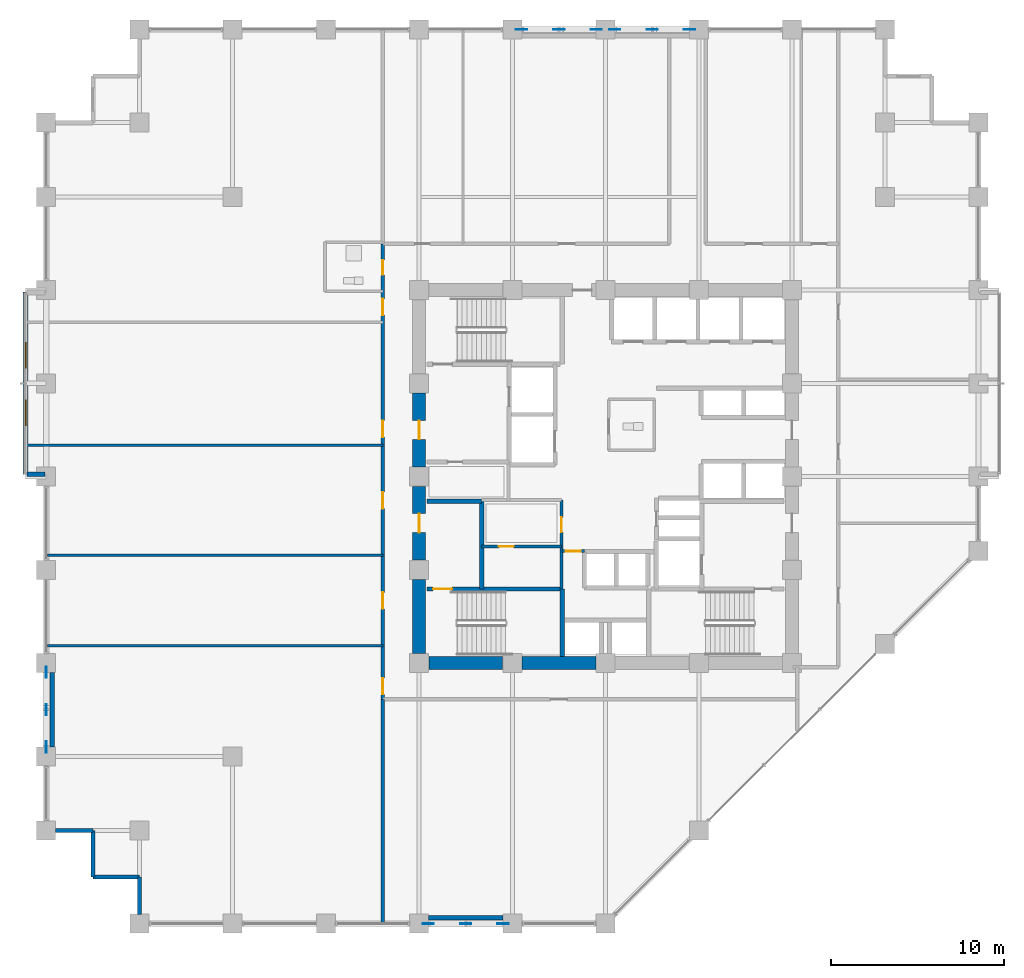
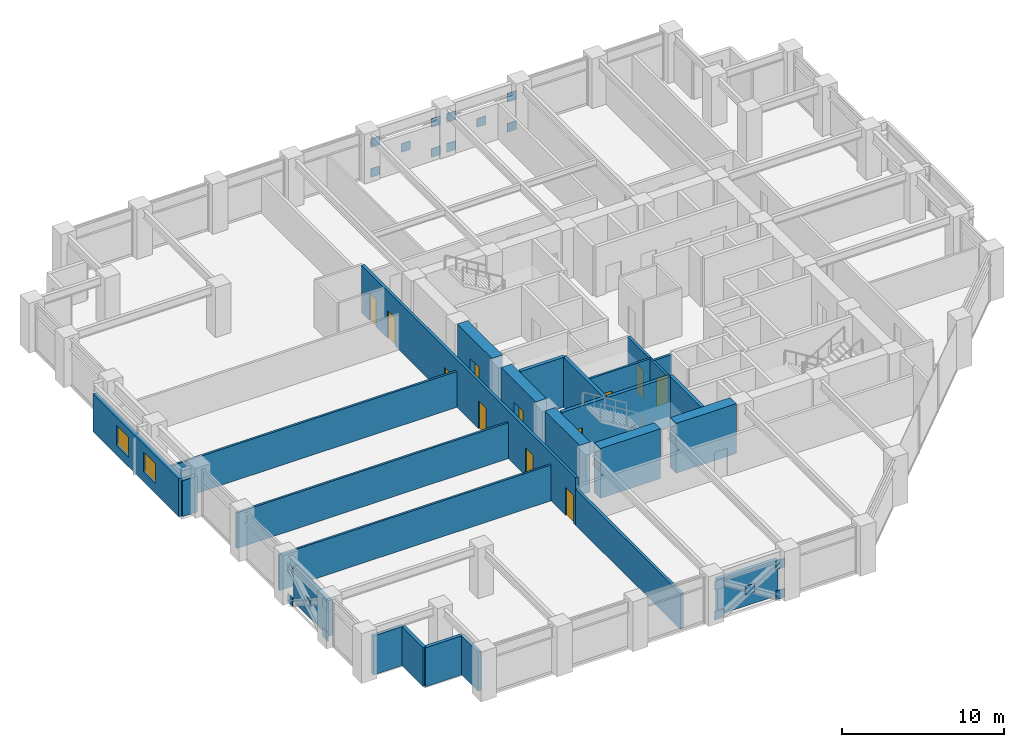
# One storey, part 20 of 26: 25 walls, 20 plates, 12 doors, 2 windows, 14 openings.
"""IFC4 building model written with IfcOpenShell, lengths in metres."""

from ifc_helpers import new_model, si_unit, direction, frame, frame_2d, origin, origin_2d, place, context, subcontext, project, spatial, rectangle, extrude, material, layer, layer_set, type_object, element, fill, save


model = new_model("IFC4")

# Units and contexts
model_context = context("Model", 3, precision=1e-05, world=origin(), true_north=direction((0.0, 1.0)))
body_context = subcontext(model_context, "Body", "Model", "MODEL_VIEW")
ifc_project = project(units=[si_unit("LENGTHUNIT", "METRE"), si_unit("AREAUNIT", "SQUARE_METRE"), si_unit("VOLUMEUNIT", "CUBIC_METRE"), si_unit("PLANEANGLEUNIT", "RADIAN"), si_unit("MASSUNIT", "GRAM", prefix="KILO")], contexts=[model_context])

# Site, building, storey
site_placement = place(None, origin())
site = spatial("IfcSite", under=ifc_project, at=site_placement, CompositionType="ELEMENT")
building_placement = place(site_placement, origin())
building = spatial("IfcBuilding", under=site, at=building_placement, Name="Surkhivell Harbour Commons", CompositionType="ELEMENT")
storey_placement = place(building_placement, frame((0.0, 0.0, 102.0)))
storey = spatial("IfcBuildingStorey", under=building, at=storey_placement, Name="L26", CompositionType="ELEMENT", Elevation=102.0)

# Plates
ifc_material_1 = material(Name="Steel S460", Category="steel")
ifc_layer_1 = layer(ifc_material_1, 0.044921875)
ifc_layer_set_1 = layer_set([ifc_layer_1], Name="Steel S460")
plate_type = type_object("IfcPlateType", Name="PLT-GUS-650", PredefinedType="USERDEFINED", material=ifc_layer_set_1)
for number, where, z_axis, x_axis, name in (
    (1, (-4.864990234375, 25.89990234375, -0.08935546875), (0.0, 0.0, 1.0), (1.0, 0.0, 0.0), "L26 Perimeter Mega-Brace MB- Corner Gusset N-1"),
    (2, (-0.534912109375, 25.89990234375, -0.08935546875), (0.0, 0.0, 1.0), (1.0, 0.0, 0.0), "L26 Perimeter Mega-Brace MB- Corner Gusset N-2"),
    (3, (-4.864990234375, 25.89990234375, 2.170654296875), (0.0, 0.0, 1.0), (1.0, 0.0, 0.0), "L26 Perimeter Mega-Brace MB- Corner Gusset N-3"),
    (4, (-0.534912109375, 25.89990234375, 2.170654296875), (0.0, 0.0, 1.0), (1.0, 0.0, 0.0), "L26 Perimeter Mega-Brace MB- Corner Gusset N-4"),
    (5, (-2.699951171875, 25.89990234375, 1.04052734375), (0.0, 0.0, 1.0), (1.0, 0.0, 0.0), "L26 Perimeter Mega-Brace MB- Central Crossing Gusset N"),
    (6, (0.534912109375, 25.89990234375, -0.08935546875), (0.0, 0.0, 1.0), (1.0, 0.0, 0.0), "L26 Perimeter Mega-Brace MB- Corner Gusset N2-1"),
    (7, (4.864990234375, 25.89990234375, -0.08935546875), (0.0, 0.0, 1.0), (1.0, 0.0, 0.0), "L26 Perimeter Mega-Brace MB- Corner Gusset N2-2"),
    (8, (0.534912109375, 25.89990234375, 2.170654296875), (0.0, 0.0, 1.0), (1.0, 0.0, 0.0), "L26 Perimeter Mega-Brace MB- Corner Gusset N2-3"),
    (9, (4.864990234375, 25.89990234375, 2.170654296875), (0.0, 0.0, 1.0), (1.0, 0.0, 0.0), "L26 Perimeter Mega-Brace MB- Corner Gusset N2-4"),
    (10, (2.699951171875, 25.89990234375, 1.04052734375), (0.0, 0.0, 1.0), (1.0, 0.0, 0.0), "L26 Perimeter Mega-Brace MB- Central Crossing Gusset N2"),
    (11, (-10.264892578125, -25.89990234375, -0.08935546875), (0.0, 0.0, 1.0), (1.0, 0.0, 0.0), "L26 Perimeter Mega-Brace MB- Corner Gusset S-1"),
    (12, (-5.93505859375, -25.89990234375, -0.08935546875), (0.0, 0.0, 1.0), (1.0, 0.0, 0.0), "L26 Perimeter Mega-Brace MB- Corner Gusset S-2"),
    (13, (-10.264892578125, -25.89990234375, 2.170654296875), (0.0, 0.0, 1.0), (1.0, 0.0, 0.0), "L26 Perimeter Mega-Brace MB- Corner Gusset S-3"),
    (14, (-5.93505859375, -25.89990234375, 2.170654296875), (0.0, 0.0, 1.0), (1.0, 0.0, 0.0), "L26 Perimeter Mega-Brace MB- Corner Gusset S-4"),
    (15, (-8.10009765625, -25.89990234375, 1.04052734375), (0.0, 0.0, 1.0), (1.0, 0.0, 0.0), "L26 Perimeter Mega-Brace MB- Central Crossing Gusset S"),
    (16, (-32.39990234375, -15.6650390625, -0.08935546875), (0.0, 0.0, 1.0), (0.0, 1.0, 0.0), "L26 Perimeter Mega-Brace MB- Corner Gusset W-1"),
    (17, (-32.39990234375, -11.3349609375, -0.08935546875), (0.0, 0.0, 1.0), (0.0, 1.0, 0.0), "L26 Perimeter Mega-Brace MB- Corner Gusset W-2"),
    (18, (-32.39990234375, -15.6650390625, 2.170654296875), (0.0, 0.0, 1.0), (0.0, 1.0, 0.0), "L26 Perimeter Mega-Brace MB- Corner Gusset W-3"),
    (19, (-32.39990234375, -11.3349609375, 2.170654296875), (0.0, 0.0, 1.0), (0.0, 1.0, 0.0), "L26 Perimeter Mega-Brace MB- Corner Gusset W-4"),
    (20, (-32.39990234375, -13.5, 1.04052734375), (0.0, 0.0, 1.0), (0.0, 1.0, 0.0), "L26 Perimeter Mega-Brace MB- Central Crossing Gusset W"),
):
    element("IfcPlate", number, at=place(storey_placement, frame(where, z_axis=z_axis, x_axis=x_axis)), inside=storey, type_object=plate_type, Name=name, ObjectType="GUSSET_PLATE", PredefinedType="USERDEFINED", context=body_context, shape_type="SweptSolid", body=[
        extrude(rectangle(XDim=0.64990234375, YDim=0.044921875, at=origin_2d()), origin(), (0.0, 0.0, 1.0), 0.64990234375),
    ])

# Walls
ifc_material_2 = material(Name="Concrete C60/75", Category="concrete")
ifc_layer_2 = layer(ifc_material_2, 0.75)
ifc_layer_set_2 = layer_set([ifc_layer_2], Name="Concrete C60/75")
wall_type_1 = type_object("IfcWallType", Name="WAL-CORE-750", PredefinedType="SHEAR", material=ifc_layer_set_2)
for number, where, z_axis, x_axis, name in (
    (21, (-10.239990234375, -10.800048828125, 0.0), (0.0, 0.0, 1.0), (1.0, 0.0, 0.0), "L26 Core Shear Wall South 1"),
    (22, (-10.800048828125, -10.239990234375, 0.0), (0.0, 0.0, 1.0), (0.0, 1.0, 0.0), "L26 Core Shear Wall West 1"),
    (23, (-4.840087890625, -10.800048828125, 0.0), (0.0, 0.0, 1.0), (1.0, 0.0, 0.0), "L26 Core Shear Wall South 2"),
):
    element("IfcWall", number, at=place(storey_placement, frame(where, z_axis=z_axis, x_axis=x_axis)), inside=storey, type_object=wall_type_1, Name=name, PredefinedType="SHEAR", context=body_context, shape_type="SweptSolid", body=[
        extrude(rectangle(XDim=4.280029296875, YDim=0.75, at=frame_2d((2.14013671875, 0.0))), origin(), (0.0, 0.0, 1.0), 3.75),
    ])

# Wall, opening, door
wall_1_placement = place(storey_placement, frame((-10.800048828125, -4.840087890625, 0.0), z_axis=(0.0, 0.0, 1.0), x_axis=(0.0, 1.0, 0.0)))
wall_1 = element("IfcWall", 24, at=wall_1_placement, inside=storey, type_object=wall_type_1, Name="L26 Core Shear Wall West 2", PredefinedType="SHEAR", context=body_context, shape_type="SweptSolid", body=[
    extrude(rectangle(XDim=4.280029296875, YDim=0.75, at=frame_2d((2.14013671875, 0.0))), origin(), (0.0, 0.0, 1.0), 3.75),
])
opening_1_placement = place(wall_1_placement, frame((1.590087890625, 0.0, 0.0)))
opening_1 = element("IfcOpeningElement", 25, at=opening_1_placement, cuts=wall_1, Name="Opening ID-2", PredefinedType="OPENING", context=body_context, shape_type="SweptSolid", body=[
    extrude(rectangle(XDim=1.10009765625, YDim=2.10009765625, at=frame_2d((0.550048828125, 1.050048828125))), frame((0.0, 0.385009765625, 0.0), z_axis=(0.0, -1.0, 0.0), x_axis=(1.0, 0.0, 0.0)), (0.0, 0.0, 1.0), 0.77001953125),
])
ifc_material_3 = material(Name="Hardwood-veneered fire-rated door leaf", Category="wood")
door_type_1 = type_object("IfcDoorType", Name="DOR-FD60-1100", OperationType="NOTDEFINED", PredefinedType="DOOR", material=ifc_material_3)
door_1_placement = place(opening_1_placement, origin())
door_1 = element("IfcDoor", 26, at=door_1_placement, inside=storey, type_object=door_type_1, Name="L26 Stair 3 Lobby Corridor Door", OperationType="SINGLE_SWING_LEFT", OverallHeight=2.10009765625, OverallWidth=1.10009765625, PredefinedType="DOOR", context=body_context, shape_type="SweptSolid", body=[
    extrude(rectangle(XDim=1.10009765625, YDim=2.10009765625, at=frame_2d((0.550048828125, 1.050048828125))), frame((0.0, 0.02490234375, 0.0), z_axis=(0.0, -1.0, 0.0), x_axis=(1.0, 0.0, 0.0)), (0.0, 0.0, 1.0), 0.050048828125),
])
fill(opening_1, door_1)

wall_2_placement = place(storey_placement, frame((-10.800048828125, 0.56005859375, 0.0), z_axis=(0.0, 0.0, 1.0), x_axis=(0.0, 1.0, 0.0)))
wall_2 = element("IfcWall", 27, at=wall_2_placement, inside=storey, type_object=wall_type_1, Name="L26 Core Shear Wall West 3", PredefinedType="SHEAR", context=body_context, shape_type="SweptSolid", body=[
    extrude(rectangle(XDim=4.280029296875, YDim=0.75, at=frame_2d((2.14013671875, 0.0))), origin(), (0.0, 0.0, 1.0), 3.75),
])
opening_2_placement = place(wall_2_placement, frame((1.590087890625, 0.0, 0.0)))
opening_2 = element("IfcOpeningElement", 28, at=opening_2_placement, cuts=wall_2, Name="Opening ID-1", PredefinedType="OPENING", context=body_context, shape_type="SweptSolid", body=[
    extrude(rectangle(XDim=1.10009765625, YDim=2.10009765625, at=frame_2d((0.550048828125, 1.050048828125))), frame((0.0, 0.385009765625, 0.0), z_axis=(0.0, -1.0, 0.0), x_axis=(1.0, 0.0, 0.0)), (0.0, 0.0, 1.0), 0.77001953125),
])
door_type_2 = type_object("IfcDoorType", Name="DOR-FD120-1100", OperationType="NOTDEFINED", PredefinedType="DOOR", material=ifc_material_3)
door_2_placement = place(opening_2_placement, origin())
door_2 = element("IfcDoor", 29, at=door_2_placement, inside=storey, type_object=door_type_2, Name="L26 Firefighting Lobby 1 Corridor Door", OperationType="SINGLE_SWING_LEFT", OverallHeight=2.10009765625, OverallWidth=1.10009765625, PredefinedType="DOOR", context=body_context, shape_type="SweptSolid", body=[
    extrude(rectangle(XDim=1.10009765625, YDim=2.10009765625, at=frame_2d((0.550048828125, 1.050048828125))), frame((0.0, 0.02490234375, 0.0), z_axis=(0.0, -1.0, 0.0), x_axis=(1.0, 0.0, 0.0)), (0.0, 0.0, 1.0), 0.050048828125),
])
fill(opening_2, door_2)

# Walls
ifc_material_4 = material(Name="Pale-metal insulated precast concrete C45/55", Category="concrete")
ifc_layer_3 = layer(ifc_material_4, 0.260009765625)
ifc_layer_set_3 = layer_set([ifc_layer_3], Name="Pale-metal insulated precast concrete C45/55")
wall_type_2 = type_object("IfcWallType", Name="WAL-EXT-MTL260", PredefinedType="STANDARD", material=ifc_layer_set_3)
wall_3_placement = place(storey_placement, frame((-10.251953125, -25.5400390625, 0.0), z_axis=(0.0, 0.0, 1.0), x_axis=(1.0, 0.0, 0.0)))
element("IfcWall", 30, at=wall_3_placement, inside=storey, type_object=wall_type_2, Name="L26 Braced-Bay Insulated Spandrel Backing S", PredefinedType="STANDARD", context=body_context, shape_type="SweptSolid", body=[
    extrude(rectangle(XDim=4.303955078125, YDim=0.260009765625, at=frame_2d((2.15185546875, 0.0))), origin(), (0.0, 0.0, 1.0), 2.698974609375),
])
wall_4_placement = place(storey_placement, frame((-32.0400390625, -15.652099609375, 0.0), z_axis=(0.0, 0.0, 1.0), x_axis=(0.0, 1.0, 0.0)))
element("IfcWall", 31, at=wall_4_placement, inside=storey, type_object=wall_type_2, Name="L26 Braced-Bay Insulated Spandrel Backing W", PredefinedType="STANDARD", context=body_context, shape_type="SweptSolid", body=[
    extrude(rectangle(XDim=4.30419921875, YDim=0.260009765625, at=frame_2d((2.152099609375, 0.0))), origin(), (0.0, 0.0, 1.0), 2.698974609375),
])
ifc_material_5 = material(Name="Bronze-ochre cassette precast concrete C45/55", Category="concrete")
ifc_layer_4 = layer(ifc_material_5, 0.239990234375)
ifc_layer_set_4 = layer_set([ifc_layer_4], Name="Bronze-ochre cassette precast concrete C45/55")
wall_type_3 = type_object("IfcWallType", Name="WAL-EXT-OCH240", PredefinedType="STANDARD", material=ifc_layer_set_4)
wall_5_placement = place(storey_placement, frame((-31.85205078125, -20.5, 0.0), z_axis=(0.0, 0.0, 1.0), x_axis=(1.0, 0.0, 0.0)))
element("IfcWall", 32, at=wall_5_placement, inside=storey, type_object=wall_type_3, Name="L26 Serrated Corner Facade Wall 13", PredefinedType="STANDARD", context=body_context, shape_type="SweptSolid", body=[
    extrude(rectangle(XDim=2.152099609375, YDim=0.239990234375, at=frame_2d((1.076171875, 0.0))), origin(), (0.0, 0.0, 1.0), 2.93310546875),
])
for number, where, z_axis, x_axis, name in (
    (33, (-29.699951171875, -20.5, 0.0), (0.0, 0.0, 1.0), (0.0, -1.0, 0.0), "L26 Serrated Corner Facade Wall 14"),
    (34, (-29.699951171875, -23.199951171875, 0.0), (0.0, 0.0, 1.0), (1.0, 0.0, 0.0), "L26 Serrated Corner Facade Wall 15"),
):
    element("IfcWall", number, at=place(storey_placement, frame(where, z_axis=z_axis, x_axis=x_axis)), inside=storey, type_object=wall_type_3, Name=name, PredefinedType="STANDARD", context=body_context, shape_type="SweptSolid", body=[
        extrude(rectangle(XDim=2.699951171875, YDim=0.239990234375, at=frame_2d((1.35009765625, 0.0))), origin(), (0.0, 0.0, 1.0), 2.93310546875),
    ])
wall_6_placement = place(storey_placement, frame((-27.0, -23.199951171875, 0.0), z_axis=(0.0, 0.0, 1.0), x_axis=(0.0, -1.0, 0.0)))
element("IfcWall", 35, at=wall_6_placement, inside=storey, type_object=wall_type_3, Name="L26 Serrated Corner Facade Wall 16", PredefinedType="STANDARD", context=body_context, shape_type="SweptSolid", body=[
    extrude(rectangle(XDim=2.152099609375, YDim=0.239990234375, at=frame_2d((1.076171875, 0.0))), origin(), (0.0, 0.0, 1.0), 2.93310546875),
])

# Wall, openings, windows
ifc_material_6 = material(Name="Terracotta-clad reinforced concrete C45/55", Category="masonry")
ifc_layer_5 = layer(ifc_material_6, 0.280029296875)
ifc_layer_set_5 = layer_set([ifc_layer_5], Name="Terracotta-clad reinforced concrete C45/55")
wall_type_4 = type_object("IfcWallType", Name="WAL-EXT-TER280", PredefinedType="STANDARD", material=ifc_layer_set_5)
wall_7_placement = place(storey_placement, frame((-33.60009765625, 10.679931640625, 0.0), z_axis=(0.0, 0.0, 1.0), x_axis=(0.0, -1.0, 0.0)))
wall_7 = element("IfcWall", 36, at=wall_7_placement, inside=storey, type_object=wall_type_4, Name="L26 Coloured Box Front Wall 02", PredefinedType="STANDARD", context=body_context, shape_type="SweptSolid", body=[
    extrude(rectangle(XDim=10.559814453125, YDim=0.280029296875, at=frame_2d((5.27978515625, 0.0))), origin(), (0.0, 0.0, 1.0), 2.85693359375),
])
opening_3_placement = place(wall_7_placement, frame((2.889892578125, 0.0, 0.75)))
opening_3 = element("IfcOpeningElement", 37, at=opening_3_placement, cuts=wall_7, Name="Opening WN-13", PredefinedType="OPENING", context=body_context, shape_type="SweptSolid", body=[
    extrude(rectangle(XDim=1.5, YDim=1.5, at=frame_2d((0.75, 0.75))), frame((0.0, 0.14990234375, 0.0), z_axis=(0.0, -1.0, 0.0), x_axis=(1.0, 0.0, 0.0)), (0.0, 0.0, 1.0), 0.300048828125),
])
opening_4_placement = place(wall_7_placement, frame((6.22998046875, 0.0, 0.75)))
opening_4 = element("IfcOpeningElement", 38, at=opening_4_placement, cuts=wall_7, Name="Opening WN-13", PredefinedType="OPENING", context=body_context, shape_type="SweptSolid", body=[
    extrude(rectangle(XDim=1.5, YDim=1.5, at=frame_2d((0.75, 0.75))), frame((0.0, 0.14990234375, 0.0), z_axis=(0.0, -1.0, 0.0), x_axis=(1.0, 0.0, 0.0)), (0.0, 0.0, 1.0), 0.300048828125),
])
ifc_material_7 = material(Name="Thermal-break aluminium frame and double low-E glazing", Category="aluminium")
window_type = type_object("IfcWindowType", Name="WIN-BOX-1500x1500", PartitioningType="SINGLE_PANEL", PredefinedType="WINDOW", material=ifc_material_7)
window_1_placement = place(opening_3_placement, origin())
window_1 = element("IfcWindow", 39, at=window_1_placement, inside=storey, type_object=window_type, Name="L26 Coloured Box Square Window 02-1", OverallHeight=1.5, OverallWidth=1.5, PartitioningType="SINGLE_PANEL", PredefinedType="WINDOW", context=body_context, shape_type="SweptSolid", body=[
    extrude(rectangle(XDim=1.5, YDim=1.5, at=frame_2d((0.75, 0.75))), frame((0.0, 0.030029296875, 0.0), z_axis=(0.0, -1.0, 0.0), x_axis=(1.0, 0.0, 0.0)), (0.0, 0.0, 1.0), 0.06005859375),
])
fill(opening_3, window_1)
window_2_placement = place(opening_4_placement, origin())
window_2 = element("IfcWindow", 40, at=window_2_placement, inside=storey, type_object=window_type, Name="L26 Coloured Box Square Window 02-2", OverallHeight=1.5, OverallWidth=1.5, PartitioningType="SINGLE_PANEL", PredefinedType="WINDOW", context=body_context, shape_type="SweptSolid", body=[
    extrude(rectangle(XDim=1.5, YDim=1.5, at=frame_2d((0.75, 0.75))), frame((0.0, 0.030029296875, 0.0), z_axis=(0.0, -1.0, 0.0), x_axis=(1.0, 0.0, 0.0)), (0.0, 0.0, 1.0), 0.06005859375),
])
fill(opening_4, window_2)

# Wall
wall_8_placement = place(storey_placement, frame((-33.52001953125, 0.139892578125, 0.0), z_axis=(0.0, 0.0, 1.0), x_axis=(1.0, 0.0, 0.0)))
element("IfcWall", 41, at=wall_8_placement, inside=storey, type_object=wall_type_4, Name="L26 Coloured Box Return Wall 02S", PredefinedType="STANDARD", context=body_context, shape_type="SweptSolid", body=[
    extrude(rectangle(XDim=1.0400390625, YDim=0.280029296875, at=frame_2d((0.52001953125, 0.0))), origin(), (0.0, 0.0, 1.0), 2.698974609375),
])

# Wall, opening, door
ifc_material_8 = material(Name="Twin-stud acoustic fireboard partition", Category="other")
ifc_layer_6 = layer(ifc_material_8, 0.14990234375)
ifc_layer_set_6 = layer_set([ifc_layer_6], Name="Twin-stud acoustic fireboard partition")
wall_type_5 = type_object("IfcWallType", Name="WAL-INT-150", PredefinedType="PARTITIONING", material=ifc_layer_set_6)
wall_9_placement = place(storey_placement, frame((-7.179931640625, -4.050048828125, 0.0), z_axis=(0.0, 0.0, 1.0), x_axis=(1.0, 0.0, 0.0)))
wall_9 = element("IfcWall", 42, at=wall_9_placement, inside=storey, type_object=wall_type_5, Name="L26 Core Cut A Partition", PredefinedType="PARTITIONING", context=body_context, shape_type="SweptSolid", body=[
    extrude(rectangle(XDim=4.6298828125, YDim=0.14990234375, at=frame_2d((2.31494140625, 0.0))), origin(), (0.0, 0.0, 1.0), 3.570068359375),
])
opening_5_placement = place(wall_9_placement, frame((1.0, 0.0, 0.0)))
opening_5 = element("IfcOpeningElement", 43, at=opening_5_placement, cuts=wall_9, Name="Opening ID-6", PredefinedType="OPENING", context=body_context, shape_type="SweptSolid", body=[
    extrude(rectangle(XDim=0.85009765625, YDim=2.10009765625, at=frame_2d((0.425048828125, 1.050048828125))), frame((0.0, 0.0849609375, 0.0), z_axis=(0.0, -1.0, 0.0), x_axis=(1.0, 0.0, 0.0)), (0.0, 0.0, 1.0), 0.169921875),
])
door_type_3 = type_object("IfcDoorType", Name="DOR-FD30-850", OperationType="NOTDEFINED", PredefinedType="DOOR", material=ifc_material_3)
door_3_placement = place(opening_5_placement, origin())
door_3 = element("IfcDoor", 44, at=door_3_placement, inside=storey, type_object=door_type_3, Name="L26 Linen Room Door", OperationType="SINGLE_SWING_RIGHT", OverallHeight=2.10009765625, OverallWidth=0.85009765625, PredefinedType="DOOR", context=body_context, shape_type="SweptSolid", body=[
    extrude(rectangle(XDim=0.85009765625, YDim=2.10009765625, at=frame_2d((0.425048828125, 1.050048828125))), frame((0.0, 0.02490234375, 0.0), z_axis=(0.0, -1.0, 0.0), x_axis=(1.0, 0.0, 0.0)), (0.0, 0.0, 1.0), 0.050048828125),
])
fill(opening_5, door_3)

# Walls
wall_10_placement = place(storey_placement, frame((-32.340087890625, -4.56005859375, 0.0), z_axis=(0.0, 0.0, 1.0), x_axis=(1.0, 0.0, 0.0)))
element("IfcWall", 45, at=wall_10_placement, inside=storey, type_object=wall_type_5, Name="L26 West Partition BDP1", PredefinedType="PARTITIONING", context=body_context, shape_type="SweptSolid", body=[
    extrude(rectangle(XDim=19.440185546875, YDim=0.14990234375, at=frame_2d((9.72021484375, 0.0))), origin(), (0.0, 0.0, 1.0), 2.698974609375),
])
wall_11_placement = place(storey_placement, frame((-33.5400390625, 1.81005859375, 0.0), z_axis=(0.0, 0.0, 1.0), x_axis=(1.0, 0.0, 0.0)))
element("IfcWall", 46, at=wall_11_placement, inside=storey, type_object=wall_type_5, Name="L26 West Partition BDP2", PredefinedType="PARTITIONING", context=body_context, shape_type="SweptSolid", body=[
    extrude(rectangle(XDim=20.64013671875, YDim=0.14990234375, at=frame_2d((10.320068359375, 0.0))), origin(), (0.0, 0.0, 1.0), 2.698974609375),
])
wall_12_placement = place(storey_placement, frame((-32.340087890625, -9.800048828125, 0.0), z_axis=(0.0, 0.0, 1.0), x_axis=(1.0, 0.0, 0.0)))
element("IfcWall", 47, at=wall_12_placement, inside=storey, type_object=wall_type_5, Name="L26 West Partition PBOT", PredefinedType="PARTITIONING", context=body_context, shape_type="SweptSolid", body=[
    extrude(rectangle(XDim=19.440185546875, YDim=0.14990234375, at=frame_2d((9.72021484375, 0.0))), origin(), (0.0, 0.0, 1.0), 2.698974609375),
])

# Wall, opening, door
ifc_material_9 = material(Name="High-density acoustic blockwork fire partition", Category="masonry")
ifc_layer_7 = layer(ifc_material_9, 0.175048828125)
ifc_layer_set_7 = layer_set([ifc_layer_7], Name="High-density acoustic blockwork fire partition")
wall_type_6 = type_object("IfcWallType", Name="WAL-INT-175", PredefinedType="PARTITIONING", material=ifc_layer_set_7)
wall_13_placement = place(storey_placement, frame((-2.550048828125, -6.510009765625, 0.0), z_axis=(0.0, 0.0, 1.0), x_axis=(0.0, 1.0, 0.0)))
wall_13 = element("IfcWall", 48, at=wall_13_placement, inside=storey, type_object=wall_type_6, Name="L26 Core Service Bay East Wall", PredefinedType="PARTITIONING", context=body_context, shape_type="SweptSolid", body=[
    extrude(rectangle(XDim=5.159912109375, YDim=0.175048828125, at=frame_2d((2.580078125, 0.0))), origin(), (0.0, 0.0, 1.0), 3.570068359375),
])
opening_6_placement = place(wall_13_placement, frame((3.300048828125, 0.0, 0.0)))
opening_6 = element("IfcOpeningElement", 49, at=opening_6_placement, cuts=wall_13, Name="Opening ID-6", PredefinedType="OPENING", context=body_context, shape_type="SweptSolid", body=[
    extrude(rectangle(XDim=0.85009765625, YDim=2.10009765625, at=frame_2d((0.425048828125, 1.050048828125))), frame((0.0, 0.097412109375, 0.0), z_axis=(0.0, -1.0, 0.0), x_axis=(1.0, 0.0, 0.0)), (0.0, 0.0, 1.0), 0.195068359375),
])
door_4_placement = place(opening_6_placement, origin())
door_4 = element("IfcDoor", 50, at=door_4_placement, inside=storey, type_object=door_type_3, Name="L26 Core Reading Alcove Door", OperationType="SINGLE_SWING_LEFT", OverallHeight=2.10009765625, OverallWidth=0.85009765625, PredefinedType="DOOR", context=body_context, shape_type="SweptSolid", body=[
    extrude(rectangle(XDim=0.85009765625, YDim=2.10009765625, at=frame_2d((0.425048828125, 1.050048828125))), frame((0.0, 0.02490234375, 0.0), z_axis=(0.0, -1.0, 0.0), x_axis=(1.0, 0.0, 0.0)), (0.0, 0.0, 1.0), 0.050048828125),
])
fill(opening_6, door_4)

wall_14_placement = place(storey_placement, frame((-2.52001953125, -4.320068359375, 0.0), z_axis=(0.0, 0.0, 1.0), x_axis=(1.0, 0.0, 0.0)))
wall_14 = element("IfcWall", 51, at=wall_14_placement, inside=storey, type_object=wall_type_6, Name="L26 High-Rise Lobby North Portal Wall", PredefinedType="PARTITIONING", context=body_context, shape_type="SweptSolid", body=[
    extrude(rectangle(XDim=1.300048828125, YDim=0.175048828125, at=frame_2d((0.64990234375, 0.0))), origin(), (0.0, 0.0, 1.0), 3.570068359375),
])
opening_7_placement = place(wall_14_placement, frame((0.219970703125, 0.0, 0.0)))
opening_7 = element("IfcOpeningElement", 52, at=opening_7_placement, cuts=wall_14, Name="Opening ID-6", PredefinedType="OPENING", context=body_context, shape_type="SweptSolid", body=[
    extrude(rectangle(XDim=0.85009765625, YDim=2.10009765625, at=frame_2d((0.425048828125, 1.050048828125))), frame((0.0, 0.097412109375, 0.0), z_axis=(0.0, -1.0, 0.0), x_axis=(1.0, 0.0, 0.0)), (0.0, 0.0, 1.0), 0.195068359375),
])
door_5_placement = place(opening_7_placement, origin())
door_5 = element("IfcDoor", 53, at=door_5_placement, inside=storey, type_object=door_type_3, Name="L26 High-Rise Lift Lobby North Door", OperationType="SINGLE_SWING_LEFT", OverallHeight=2.10009765625, OverallWidth=0.85009765625, PredefinedType="DOOR", context=body_context, shape_type="SweptSolid", body=[
    extrude(rectangle(XDim=0.85009765625, YDim=2.10009765625, at=frame_2d((0.425048828125, 1.050048828125))), frame((0.0, 0.02490234375, 0.0), z_axis=(0.0, -1.0, 0.0), x_axis=(1.0, 0.0, 0.0)), (0.0, 0.0, 1.0), 0.050048828125),
])
fill(opening_7, door_5)

# Wall
ifc_material_10 = material(Name="Autoclaved aerated concrete blockwork and fire plaster", Category="masonry")
ifc_layer_8 = layer(ifc_material_10, 0.199951171875)
ifc_layer_set_8 = layer_set([ifc_layer_8], Name="Autoclaved aerated concrete blockwork and fire plaster")
wall_type_7 = type_object("IfcWallType", Name="WAL-INT-200", PredefinedType="PARTITIONING", material=ifc_layer_set_8)
wall_15_placement = place(storey_placement, frame((-12.89990234375, -25.840087890625, 0.0), z_axis=(0.0, 0.0, 1.0), x_axis=(0.0, 1.0, 0.0)))
element("IfcWall", 54, at=wall_15_placement, inside=storey, type_object=wall_type_7, Name="L26 South-West Wing Corner Divider", PredefinedType="PARTITIONING", context=body_context, shape_type="SweptSolid", body=[
    extrude(rectangle(XDim=12.940185546875, YDim=0.199951171875, at=frame_2d((6.47021484375, 0.0))), origin(), (0.0, 0.0, 1.0), 2.698974609375),
])

# Wall, openings, doors
wall_16_placement = place(storey_placement, frame((-12.89990234375, -12.89990234375, 0.0), z_axis=(0.0, 0.0, 1.0), x_axis=(0.0, 1.0, 0.0)))
wall_16 = element("IfcWall", 55, at=wall_16_placement, inside=storey, type_object=wall_type_7, Name="L26 Corridor West Wall", PredefinedType="PARTITIONING", context=body_context, shape_type="SweptSolid", body=[
    extrude(rectangle(XDim=26.3798828125, YDim=0.199951171875, at=frame_2d((13.18994140625, 0.0))), origin(), (0.0, 0.0, 1.0), 3.570068359375),
])
opening_8_placement = place(wall_16_placement, frame((0.280029296875, 0.0, 0.0)))
opening_8 = element("IfcOpeningElement", 56, at=opening_8_placement, cuts=wall_16, Name="Opening ID-4", PredefinedType="OPENING", context=body_context, shape_type="SweptSolid", body=[
    extrude(rectangle(XDim=0.949951171875, YDim=2.10009765625, at=frame_2d((0.47509765625, 1.050048828125))), frame((0.0, 0.10986328125, 0.0), z_axis=(0.0, -1.0, 0.0), x_axis=(1.0, 0.0, 0.0)), (0.0, 0.0, 1.0), 0.219970703125),
])
opening_9_placement = place(wall_16_placement, frame((24.5849609375, 0.0, 0.0)))
opening_9 = element("IfcOpeningElement", 57, at=opening_9_placement, cuts=wall_16, Name="Opening ID-6", PredefinedType="OPENING", context=body_context, shape_type="SweptSolid", body=[
    extrude(rectangle(XDim=0.85009765625, YDim=2.10009765625, at=frame_2d((0.425048828125, 1.050048828125))), frame((0.0, 0.10986328125, 0.0), z_axis=(0.0, -1.0, 0.0), x_axis=(1.0, 0.0, 0.0)), (0.0, 0.0, 1.0), 0.219970703125),
])
opening_10_placement = place(wall_16_placement, frame((22.25, 0.0, 0.0)))
opening_10 = element("IfcOpeningElement", 58, at=opening_10_placement, cuts=wall_16, Name="Opening ID-4", PredefinedType="OPENING", context=body_context, shape_type="SweptSolid", body=[
    extrude(rectangle(XDim=0.949951171875, YDim=2.10009765625, at=frame_2d((0.47509765625, 1.050048828125))), frame((0.0, 0.10986328125, 0.0), z_axis=(0.0, -1.0, 0.0), x_axis=(1.0, 0.0, 0.0)), (0.0, 0.0, 1.0), 0.219970703125),
])
opening_11_placement = place(wall_16_placement, frame((5.239990234375, 0.0, 0.0)))
opening_11 = element("IfcOpeningElement", 59, at=opening_11_placement, cuts=wall_16, Name="Opening ID-4", PredefinedType="OPENING", context=body_context, shape_type="SweptSolid", body=[
    extrude(rectangle(XDim=0.949951171875, YDim=2.10009765625, at=frame_2d((0.47509765625, 1.050048828125))), frame((0.0, 0.10986328125, 0.0), z_axis=(0.0, -1.0, 0.0), x_axis=(1.0, 0.0, 0.0)), (0.0, 0.0, 1.0), 0.219970703125),
])
opening_12_placement = place(wall_16_placement, frame((11.044921875, 0.0, 0.0)))
opening_12 = element("IfcOpeningElement", 60, at=opening_12_placement, cuts=wall_16, Name="Opening ID-4", PredefinedType="OPENING", context=body_context, shape_type="SweptSolid", body=[
    extrude(rectangle(XDim=0.949951171875, YDim=2.10009765625, at=frame_2d((0.47509765625, 1.050048828125))), frame((0.0, 0.10986328125, 0.0), z_axis=(0.0, -1.0, 0.0), x_axis=(1.0, 0.0, 0.0)), (0.0, 0.0, 1.0), 0.219970703125),
])
opening_13_placement = place(wall_16_placement, frame((15.1904296875, 0.0, 0.0)))
opening_13 = element("IfcOpeningElement", 61, at=opening_13_placement, cuts=wall_16, Name="Opening ID-4", PredefinedType="OPENING", context=body_context, shape_type="SweptSolid", body=[
    extrude(rectangle(XDim=0.949951171875, YDim=2.10009765625, at=frame_2d((0.47509765625, 1.050048828125))), frame((0.0, 0.10986328125, 0.0), z_axis=(0.0, -1.0, 0.0), x_axis=(1.0, 0.0, 0.0)), (0.0, 0.0, 1.0), 0.219970703125),
])
door_6_placement = place(opening_9_placement, origin())
door_6 = element("IfcDoor", 62, at=door_6_placement, inside=storey, type_object=door_type_3, Name="L26 Communal Shower Bathroom West Door", OperationType="SINGLE_SWING_LEFT", OverallHeight=2.10009765625, OverallWidth=0.85009765625, PredefinedType="DOOR", context=body_context, shape_type="SweptSolid", body=[
    extrude(rectangle(XDim=0.85009765625, YDim=2.10009765625, at=frame_2d((0.425048828125, 1.050048828125))), frame((0.0, 0.02490234375, 0.0), z_axis=(0.0, -1.0, 0.0), x_axis=(1.0, 0.0, 0.0)), (0.0, 0.0, 1.0), 0.050048828125),
])
fill(opening_9, door_6)
door_type_4 = type_object("IfcDoorType", Name="DOR-FD60-950", OperationType="NOTDEFINED", PredefinedType="DOOR", material=ifc_material_3)
door_7_placement = place(opening_8_placement, origin())
door_7 = element("IfcDoor", 63, at=door_7_placement, inside=storey, type_object=door_type_4, Name="L26 Shared Communal Kitchen West Door", OperationType="SINGLE_SWING_RIGHT", OverallHeight=2.10009765625, OverallWidth=0.949951171875, PredefinedType="DOOR", context=body_context, shape_type="SweptSolid", body=[
    extrude(rectangle(XDim=0.949951171875, YDim=2.10009765625, at=frame_2d((0.47509765625, 1.050048828125))), frame((0.0, 0.02490234375, 0.0), z_axis=(0.0, -1.0, 0.0), x_axis=(1.0, 0.0, 0.0)), (0.0, 0.0, 1.0), 0.050048828125),
])
fill(opening_8, door_7)
door_8_placement = place(opening_10_placement, origin())
door_8 = element("IfcDoor", 64, at=door_8_placement, inside=storey, type_object=door_type_4, Name="L26 Academic Reading Commons West Door", OperationType="SINGLE_SWING_RIGHT", OverallHeight=2.10009765625, OverallWidth=0.949951171875, PredefinedType="DOOR", context=body_context, shape_type="SweptSolid", body=[
    extrude(rectangle(XDim=0.949951171875, YDim=2.10009765625, at=frame_2d((0.47509765625, 1.050048828125))), frame((0.0, 0.02490234375, 0.0), z_axis=(0.0, -1.0, 0.0), x_axis=(1.0, 0.0, 0.0)), (0.0, 0.0, 1.0), 0.050048828125),
])
fill(opening_10, door_8)
door_9_placement = place(opening_11_placement, origin())
door_9 = element("IfcDoor", 65, at=door_9_placement, inside=storey, type_object=door_type_4, Name="L26 Hostel Cluster Bedroom 1 West Door", OperationType="SINGLE_SWING_LEFT", OverallHeight=2.10009765625, OverallWidth=0.949951171875, PredefinedType="DOOR", context=body_context, shape_type="SweptSolid", body=[
    extrude(rectangle(XDim=0.949951171875, YDim=2.10009765625, at=frame_2d((0.47509765625, 1.050048828125))), frame((0.0, 0.02490234375, 0.0), z_axis=(0.0, -1.0, 0.0), x_axis=(1.0, 0.0, 0.0)), (0.0, 0.0, 1.0), 0.050048828125),
])
fill(opening_11, door_9)
door_10_placement = place(opening_12_placement, origin())
door_10 = element("IfcDoor", 66, at=door_10_placement, inside=storey, type_object=door_type_4, Name="L26 Co-Living Dormitory Bedroom 2 West Door", OperationType="SINGLE_SWING_RIGHT", OverallHeight=2.10009765625, OverallWidth=0.949951171875, PredefinedType="DOOR", context=body_context, shape_type="SweptSolid", body=[
    extrude(rectangle(XDim=0.949951171875, YDim=2.10009765625, at=frame_2d((0.47509765625, 1.050048828125))), frame((0.0, 0.02490234375, 0.0), z_axis=(0.0, -1.0, 0.0), x_axis=(1.0, 0.0, 0.0)), (0.0, 0.0, 1.0), 0.050048828125),
])
fill(opening_12, door_10)
door_11_placement = place(opening_13_placement, origin())
door_11 = element("IfcDoor", 67, at=door_11_placement, inside=storey, type_object=door_type_4, Name="L26 Hostel Cluster Bedroom 3 West Door", OperationType="SINGLE_SWING_LEFT", OverallHeight=2.10009765625, OverallWidth=0.949951171875, PredefinedType="DOOR", context=body_context, shape_type="SweptSolid", body=[
    extrude(rectangle(XDim=0.949951171875, YDim=2.10009765625, at=frame_2d((0.47509765625, 1.050048828125))), frame((0.0, 0.02490234375, 0.0), z_axis=(0.0, -1.0, 0.0), x_axis=(1.0, 0.0, 0.0)), (0.0, 0.0, 1.0), 0.050048828125),
])
fill(opening_13, door_11)

# Walls
ifc_material_11 = material(Name="Concrete C50/60", Category="concrete")
ifc_layer_9 = layer(ifc_material_11, 0.25)
ifc_layer_set_9 = layer_set([ifc_layer_9], Name="Concrete C50/60")
wall_type_8 = type_object("IfcWallType", Name="WAL-SHAFT-250", PredefinedType="SHEAR", material=ifc_layer_set_9)
wall_17_placement = place(storey_placement, frame((-2.510009765625, -10.425048828125, 0.0), z_axis=(0.0, 0.0, 1.0), x_axis=(0.0, 1.0, 0.0)))
element("IfcWall", 68, at=wall_17_placement, inside=storey, type_object=wall_type_8, Name="L26 Stair ST3 East Shear Wall", PredefinedType="SHEAR", context=body_context, shape_type="SweptSolid", body=[
    extrude(rectangle(XDim=3.9150390625, YDim=0.25, at=frame_2d((1.95751953125, 0.0))), origin(), (0.0, 0.0, 1.0), 3.75),
])
wall_18_placement = place(storey_placement, frame((-7.179931640625, -6.510009765625, 0.0), z_axis=(0.0, 0.0, 1.0), x_axis=(0.0, 1.0, 0.0)))
element("IfcWall", 69, at=wall_18_placement, inside=storey, type_object=wall_type_8, Name="L26 Stair 3 Lobby East Wall", PredefinedType="SHEAR", context=body_context, shape_type="SweptSolid", body=[
    extrude(rectangle(XDim=5.090087890625, YDim=0.25, at=frame_2d((2.544921875, 0.0))), origin(), (0.0, 0.0, 1.0), 3.75),
])
wall_19_placement = place(storey_placement, frame((-10.340087890625, -1.419921875, 0.0), z_axis=(0.0, 0.0, 1.0), x_axis=(1.0, 0.0, 0.0)))
element("IfcWall", 70, at=wall_19_placement, inside=storey, type_object=wall_type_8, Name="L26 Stair 3 Lobby North Wall", PredefinedType="SHEAR", context=body_context, shape_type="SweptSolid", body=[
    extrude(rectangle(XDim=3.16015625, YDim=0.25, at=frame_2d((1.580078125, 0.0))), origin(), (0.0, 0.0, 1.0), 3.75),
])

# Wall, opening, door
wall_20_placement = place(storey_placement, frame((-10.340087890625, -6.510009765625, 0.0), z_axis=(0.0, 0.0, 1.0), x_axis=(1.0, 0.0, 0.0)))
wall_20 = element("IfcWall", 71, at=wall_20_placement, inside=storey, type_object=wall_type_8, Name="L26 Stair ST3 North Shear Wall", PredefinedType="SHEAR", context=body_context, shape_type="SweptSolid", body=[
    extrude(rectangle(XDim=7.7001953125, YDim=0.25, at=frame_2d((3.85009765625, 0.0))), origin(), (0.0, 0.0, 1.0), 3.75),
])
opening_14_placement = place(wall_20_placement, frame((0.35009765625, 0.0, 0.0)))
opening_14 = element("IfcOpeningElement", 72, at=opening_14_placement, cuts=wall_20, Name="Opening ID-2", PredefinedType="OPENING", context=body_context, shape_type="SweptSolid", body=[
    extrude(rectangle(XDim=1.10009765625, YDim=2.10009765625, at=frame_2d((0.550048828125, 1.050048828125))), frame((0.0, 0.135009765625, 0.0), z_axis=(0.0, -1.0, 0.0), x_axis=(1.0, 0.0, 0.0)), (0.0, 0.0, 1.0), 0.27001953125),
])
door_12_placement = place(opening_14_placement, origin())
door_12 = element("IfcDoor", 73, at=door_12_placement, inside=storey, type_object=door_type_1, Name="L26 Stair ST3 Exit Door", OperationType="SINGLE_SWING_RIGHT", OverallHeight=2.10009765625, OverallWidth=1.10009765625, PredefinedType="DOOR", context=body_context, shape_type="SweptSolid", body=[
    extrude(rectangle(XDim=1.10009765625, YDim=2.10009765625, at=frame_2d((0.550048828125, 1.050048828125))), frame((0.0, 0.02490234375, 0.0), z_axis=(0.0, -1.0, 0.0), x_axis=(1.0, 0.0, 0.0)), (0.0, 0.0, 1.0), 0.050048828125),
])
fill(opening_14, door_12)

save(model, "model.ifc")
